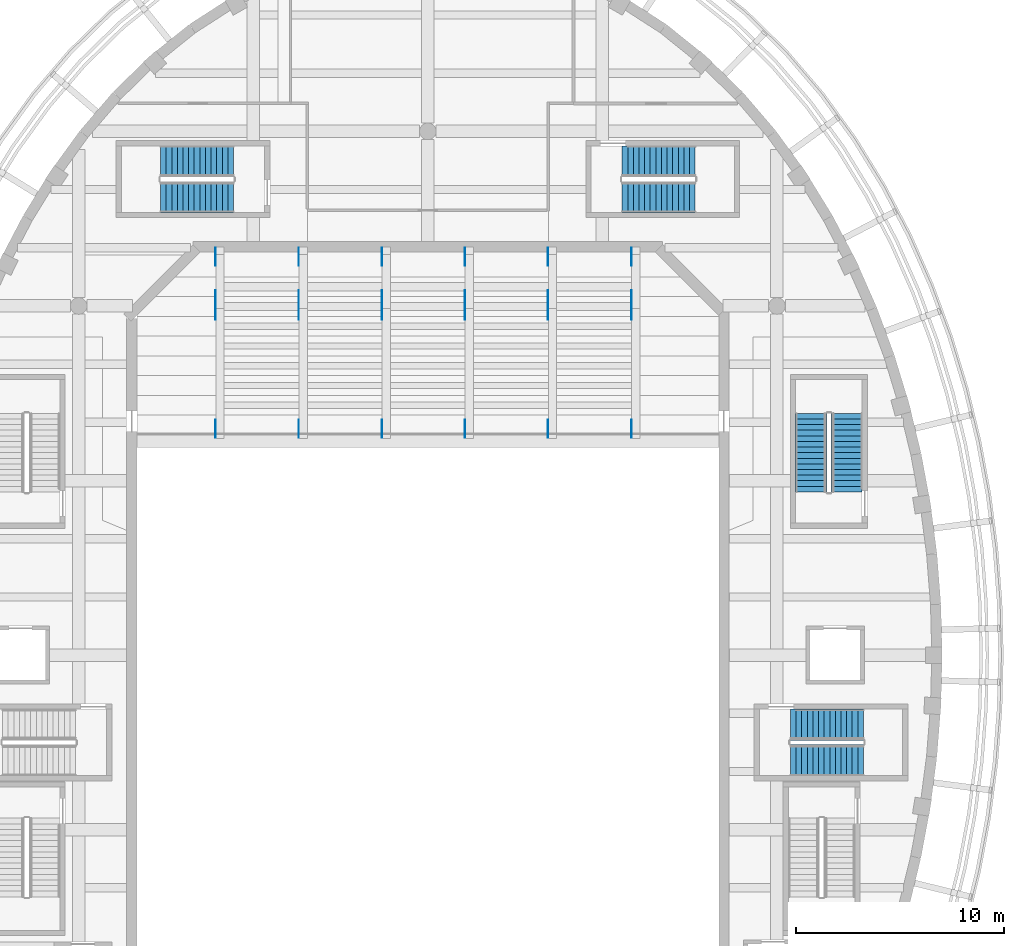
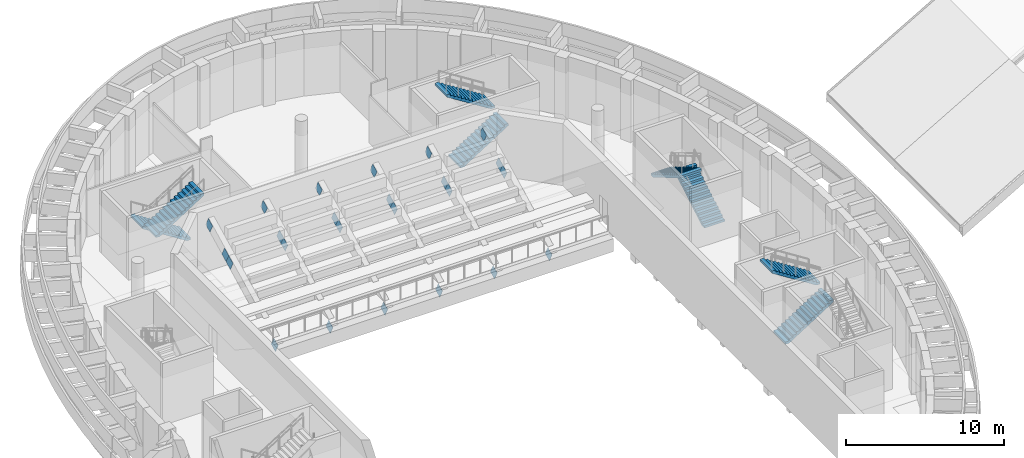
# One storey, part 16 of 37: 24 discrete accessories, 8 stair flights, 4 elements without a shape of their own.
"""IFC4 building model written with IfcOpenShell, lengths in metres."""

from ifc_helpers import new_model, si_unit, direction, frame, origin, origin_2d, place, context, subcontext, project, spatial, polyline, rectangle, outline, extrude, material, material_profile, profile_set, type_object, element, aggregate, save


model = new_model("IFC4")

# Units and contexts
model_context = context("Model", 3, precision=1e-05, world=origin(), true_north=direction((0.0, 1.0)))
body_context = subcontext(model_context, "Body", "Model", "MODEL_VIEW")
ifc_project = project(units=[si_unit("LENGTHUNIT", "METRE"), si_unit("AREAUNIT", "SQUARE_METRE"), si_unit("VOLUMEUNIT", "CUBIC_METRE"), si_unit("PLANEANGLEUNIT", "RADIAN"), si_unit("MASSUNIT", "GRAM", prefix="KILO")], contexts=[model_context])

# Site, building, storey
site_placement = place(None, origin())
site = spatial("IfcSite", under=ifc_project, at=site_placement, CompositionType="ELEMENT")
building_placement = place(site_placement, origin())
building = spatial("IfcBuilding", under=site, at=building_placement, Name="Larchfold Concert Hall", CompositionType="ELEMENT")
storey_placement = place(building_placement, frame((0.0, 0.0, 19.199951171875)))
storey = spatial("IfcBuildingStorey", under=building, at=storey_placement, Name="L04", CompositionType="ELEMENT", Elevation=19.199951171875)

# Stair, stair flights
ifc_material_1 = material(Name="Concrete C35/45", Category="concrete")
stair_type = type_object("IfcStairType", Name="Stair RC half-turn enclosed", PredefinedType="HALF_TURN_STAIR", material=ifc_material_1)
stair_1_placement = place(storey_placement, origin())
stair_1 = element("IfcStair", 1, at=stair_1_placement, inside=storey, type_object=stair_type, Name="Stair DS1", PredefinedType="HALF_TURN_STAIR")
ifc_material_2 = material(Name="Concrete C35/45", Category="concrete")
stair_flight_type_1 = type_object("IfcStairFlightType", Name="Stair flight RC 1500 x 160.0", PredefinedType="STRAIGHT", material=ifc_material_2)
stair_flight_1_placement = place(storey_placement, frame((62.75, 92.449951171875, 0.0), z_axis=(0.0, 0.0, 1.0), x_axis=(0.0, 1.0, 0.0)))
stair_flight_1 = element("IfcStairFlight", 2, at=stair_flight_1_placement, type_object=stair_flight_type_1, Name="ST01 flight 1", NumberOfRisers=15, NumberOfTreads=14, PredefinedType="STRAIGHT", RiserHeight=0.16, TreadLength=0.27, context=body_context, shape_type="SweptSolid", body=[
    extrude(outline(polyline([(0.0, 0.0), (0.0, 0.159912109375), (0.27001953125, 0.159912109375), (0.27001953125, 0.320068359375), (0.5400390625, 0.320068359375), (0.5400390625, 0.47998046875), (0.81005859375, 0.47998046875), (0.81005859375, 0.639892578125), (1.080078125, 0.639892578125), (1.080078125, 0.800048828125), (1.35009765625, 0.800048828125), (1.35009765625, 0.9599609375), (1.6201171875, 0.9599609375), (1.6201171875, 1.1201171875), (1.889892578125, 1.1201171875), (1.889892578125, 1.280029296875), (2.159912109375, 1.280029296875), (2.159912109375, 1.43994140625), (2.429931640625, 1.43994140625), (2.429931640625, 1.60009765625), (2.699951171875, 1.60009765625), (2.699951171875, 1.760009765625), (2.969970703125, 1.760009765625), (2.969970703125, 1.919921875), (3.239990234375, 1.919921875), (3.239990234375, 2.080078125), (3.510009765625, 2.080078125), (3.510009765625, 2.239990234375), (3.780029296875, 2.239990234375), (3.780029296875, 2.39990234375), (3.780029296875, 2.065673828125), (0.2939453125, 0.0), (0.0, 0.0)])), frame((0.0, 0.75, 0.0), z_axis=(0.0, -1.0, 0.0), x_axis=(1.0, 0.0, 0.0)), (0.0, 0.0, 1.0), 1.5),
])
stair_flight_2_placement = place(storey_placement, frame((61.050048828125, 96.22998046875, 2.400146484375), z_axis=(0.0, 0.0, 1.0), x_axis=(0.0, -1.0, 0.0)))
stair_flight_2 = element("IfcStairFlight", 3, at=stair_flight_2_placement, type_object=stair_flight_type_1, Name="ST01 flight 2", NumberOfRisers=15, NumberOfTreads=14, PredefinedType="STRAIGHT", RiserHeight=0.16, TreadLength=0.27, context=body_context, shape_type="SweptSolid", body=[
    extrude(outline(polyline([(0.0, 0.0), (0.0, 0.159912109375), (0.27001953125, 0.159912109375), (0.27001953125, 0.320068359375), (0.5400390625, 0.320068359375), (0.5400390625, 0.47998046875), (0.81005859375, 0.47998046875), (0.81005859375, 0.639892578125), (1.080078125, 0.639892578125), (1.080078125, 0.800048828125), (1.35009765625, 0.800048828125), (1.35009765625, 0.9599609375), (1.6201171875, 0.9599609375), (1.6201171875, 1.1201171875), (1.889892578125, 1.1201171875), (1.889892578125, 1.280029296875), (2.159912109375, 1.280029296875), (2.159912109375, 1.43994140625), (2.429931640625, 1.43994140625), (2.429931640625, 1.60009765625), (2.699951171875, 1.60009765625), (2.699951171875, 1.760009765625), (2.969970703125, 1.760009765625), (2.969970703125, 1.919921875), (3.239990234375, 1.919921875), (3.239990234375, 2.080078125), (3.510009765625, 2.080078125), (3.510009765625, 2.239990234375), (3.780029296875, 2.239990234375), (3.780029296875, 2.39990234375), (3.780029296875, 2.065673828125), (0.2939453125, 0.0), (0.0, 0.0)])), frame((0.0, 0.75, 0.0), z_axis=(0.0, -1.0, 0.0), x_axis=(1.0, 0.0, 0.0)), (0.0, 0.0, 1.0), 1.5),
])
aggregate(stair_1, [stair_flight_1, stair_flight_2])

stair_2_placement = place(storey_placement, origin())
stair_2 = element("IfcStair", 4, at=stair_2_placement, inside=storey, type_object=stair_type, Name="Stair DS2", PredefinedType="HALF_TURN_STAIR")
ifc_material_3 = material(Name="Concrete C35/45", Category="concrete")
stair_flight_type_2 = type_object("IfcStairFlightType", Name="Stair flight RC 1500 x 171.4", PredefinedType="STRAIGHT", material=ifc_material_3)
stair_flight_3_placement = place(storey_placement, frame((51.949951171875, 106.64990234375, 0.0), z_axis=(0.0, 0.0, 1.0), x_axis=(1.0, 0.0, 0.0)))
stair_flight_3 = element("IfcStairFlight", 5, at=stair_flight_3_placement, type_object=stair_flight_type_2, Name="ST02 flight 1", NumberOfRisers=14, NumberOfTreads=13, PredefinedType="STRAIGHT", RiserHeight=0.171428571, TreadLength=0.27, context=body_context, shape_type="SweptSolid", body=[
    extrude(outline(polyline([(0.0, 0.0), (0.0, 0.17138671875), (0.27001953125, 0.17138671875), (0.27001953125, 0.3427734375), (0.5400390625, 0.3427734375), (0.5400390625, 0.514404296875), (0.81005859375, 0.514404296875), (0.81005859375, 0.685791015625), (1.080078125, 0.685791015625), (1.080078125, 0.857177734375), (1.35009765625, 0.857177734375), (1.35009765625, 1.028564453125), (1.6201171875, 1.028564453125), (1.6201171875, 1.199951171875), (1.889892578125, 1.199951171875), (1.889892578125, 1.371337890625), (2.159912109375, 1.371337890625), (2.159912109375, 1.54296875), (2.429931640625, 1.54296875), (2.429931640625, 1.71435546875), (2.699951171875, 1.71435546875), (2.699951171875, 1.8857421875), (2.969970703125, 1.8857421875), (2.969970703125, 2.05712890625), (3.239990234375, 2.05712890625), (3.239990234375, 2.228515625), (3.510009765625, 2.228515625), (3.510009765625, 2.39990234375), (3.510009765625, 2.051025390625), (0.27978515625, 0.0), (0.0, 0.0)])), frame((0.0, 0.75, 0.0), z_axis=(0.0, -1.0, 0.0), x_axis=(1.0, 0.0, 0.0)), (0.0, 0.0, 1.0), 1.5),
])
stair_flight_4_placement = place(storey_placement, frame((55.4599609375, 108.349853515625, 2.400146484375), z_axis=(0.0, 0.0, 1.0), x_axis=(-1.0, 0.0, 0.0)))
stair_flight_4 = element("IfcStairFlight", 6, at=stair_flight_4_placement, type_object=stair_flight_type_2, Name="ST02 flight 2", NumberOfRisers=14, NumberOfTreads=13, PredefinedType="STRAIGHT", RiserHeight=0.171428571, TreadLength=0.27, context=body_context, shape_type="SweptSolid", body=[
    extrude(outline(polyline([(0.0, 0.0), (0.0, 0.17138671875), (0.27001953125, 0.17138671875), (0.27001953125, 0.3427734375), (0.5400390625, 0.3427734375), (0.5400390625, 0.514404296875), (0.81005859375, 0.514404296875), (0.81005859375, 0.685791015625), (1.080078125, 0.685791015625), (1.080078125, 0.857177734375), (1.35009765625, 0.857177734375), (1.35009765625, 1.028564453125), (1.6201171875, 1.028564453125), (1.6201171875, 1.199951171875), (1.889892578125, 1.199951171875), (1.889892578125, 1.371337890625), (2.159912109375, 1.371337890625), (2.159912109375, 1.54296875), (2.429931640625, 1.54296875), (2.429931640625, 1.71435546875), (2.699951171875, 1.71435546875), (2.699951171875, 1.8857421875), (2.969970703125, 1.8857421875), (2.969970703125, 2.05712890625), (3.239990234375, 2.05712890625), (3.239990234375, 2.228515625), (3.510009765625, 2.228515625), (3.510009765625, 2.39990234375), (3.510009765625, 2.051025390625), (0.27978515625, 0.0), (0.0, 0.0)])), frame((0.0, 0.75, 0.0), z_axis=(0.0, -1.0, 0.0), x_axis=(1.0, 0.0, 0.0)), (0.0, 0.0, 1.0), 1.5),
])
aggregate(stair_2, [stair_flight_3, stair_flight_4])

stair_3_placement = place(storey_placement, origin())
stair_3 = element("IfcStair", 7, at=stair_3_placement, inside=storey, type_object=stair_type, Name="Stair DS3", PredefinedType="HALF_TURN_STAIR")
stair_flight_5_placement = place(storey_placement, frame((33.25, 108.35009765625, 0.0), z_axis=(0.0, 0.0, 1.0), x_axis=(-1.0, 0.0, 0.0)))
stair_flight_5 = element("IfcStairFlight", 8, at=stair_flight_5_placement, type_object=stair_flight_type_2, Name="ST03 flight 1", NumberOfRisers=14, NumberOfTreads=13, PredefinedType="STRAIGHT", RiserHeight=0.171428571, TreadLength=0.27, context=body_context, shape_type="SweptSolid", body=[
    extrude(outline(polyline([(0.0, 0.0), (0.0, 0.17138671875), (0.27001953125, 0.17138671875), (0.27001953125, 0.3427734375), (0.5400390625, 0.3427734375), (0.5400390625, 0.514404296875), (0.81005859375, 0.514404296875), (0.81005859375, 0.685791015625), (1.080078125, 0.685791015625), (1.080078125, 0.857177734375), (1.35009765625, 0.857177734375), (1.35009765625, 1.028564453125), (1.6201171875, 1.028564453125), (1.6201171875, 1.199951171875), (1.889892578125, 1.199951171875), (1.889892578125, 1.371337890625), (2.159912109375, 1.371337890625), (2.159912109375, 1.54296875), (2.429931640625, 1.54296875), (2.429931640625, 1.71435546875), (2.699951171875, 1.71435546875), (2.699951171875, 1.8857421875), (2.969970703125, 1.8857421875), (2.969970703125, 2.05712890625), (3.239990234375, 2.05712890625), (3.239990234375, 2.228515625), (3.510009765625, 2.228515625), (3.510009765625, 2.39990234375), (3.510009765625, 2.051025390625), (0.27978515625, 0.0), (0.0, 0.0)])), frame((0.0, 0.75, 0.0), z_axis=(0.0, -1.0, 0.0), x_axis=(1.0, 0.0, 0.0)), (0.0, 0.0, 1.0), 1.5),
])
stair_flight_6_placement = place(storey_placement, frame((29.739990234375, 106.650146484375, 2.400146484375), z_axis=(0.0, 0.0, 1.0), x_axis=(1.0, 0.0, 0.0)))
stair_flight_6 = element("IfcStairFlight", 9, at=stair_flight_6_placement, type_object=stair_flight_type_2, Name="ST03 flight 2", NumberOfRisers=14, NumberOfTreads=13, PredefinedType="STRAIGHT", RiserHeight=0.171428571, TreadLength=0.27, context=body_context, shape_type="SweptSolid", body=[
    extrude(outline(polyline([(0.0, 0.0), (0.0, 0.17138671875), (0.27001953125, 0.17138671875), (0.27001953125, 0.3427734375), (0.5400390625, 0.3427734375), (0.5400390625, 0.514404296875), (0.81005859375, 0.514404296875), (0.81005859375, 0.685791015625), (1.080078125, 0.685791015625), (1.080078125, 0.857177734375), (1.35009765625, 0.857177734375), (1.35009765625, 1.028564453125), (1.6201171875, 1.028564453125), (1.6201171875, 1.199951171875), (1.889892578125, 1.199951171875), (1.889892578125, 1.371337890625), (2.159912109375, 1.371337890625), (2.159912109375, 1.54296875), (2.429931640625, 1.54296875), (2.429931640625, 1.71435546875), (2.699951171875, 1.71435546875), (2.699951171875, 1.8857421875), (2.969970703125, 1.8857421875), (2.969970703125, 2.05712890625), (3.239990234375, 2.05712890625), (3.239990234375, 2.228515625), (3.510009765625, 2.228515625), (3.510009765625, 2.39990234375), (3.510009765625, 2.051025390625), (0.27978515625, 0.0), (0.0, 0.0)])), frame((0.0, 0.75, 0.0), z_axis=(0.0, -1.0, 0.0), x_axis=(1.0, 0.0, 0.0)), (0.0, 0.0, 1.0), 1.5),
])
aggregate(stair_3, [stair_flight_5, stair_flight_6])

stair_4_placement = place(storey_placement, origin())
stair_4 = element("IfcStair", 10, at=stair_4_placement, inside=storey, type_object=stair_type, Name="Stair DS8", PredefinedType="HALF_TURN_STAIR")
stair_flight_7_placement = place(storey_placement, frame((60.050048828125, 79.550048828125, 0.0), z_axis=(0.0, 0.0, 1.0), x_axis=(1.0, 0.0, 0.0)))
stair_flight_7 = element("IfcStairFlight", 11, at=stair_flight_7_placement, type_object=stair_flight_type_2, Name="ST08 flight 1", NumberOfRisers=14, NumberOfTreads=13, PredefinedType="STRAIGHT", RiserHeight=0.171428571, TreadLength=0.27, context=body_context, shape_type="SweptSolid", body=[
    extrude(outline(polyline([(0.0, 0.0), (0.0, 0.17138671875), (0.27001953125, 0.17138671875), (0.27001953125, 0.3427734375), (0.5400390625, 0.3427734375), (0.5400390625, 0.514404296875), (0.81005859375, 0.514404296875), (0.81005859375, 0.685791015625), (1.080078125, 0.685791015625), (1.080078125, 0.857177734375), (1.35009765625, 0.857177734375), (1.35009765625, 1.028564453125), (1.6201171875, 1.028564453125), (1.6201171875, 1.199951171875), (1.889892578125, 1.199951171875), (1.889892578125, 1.371337890625), (2.159912109375, 1.371337890625), (2.159912109375, 1.54296875), (2.429931640625, 1.54296875), (2.429931640625, 1.71435546875), (2.699951171875, 1.71435546875), (2.699951171875, 1.8857421875), (2.969970703125, 1.8857421875), (2.969970703125, 2.05712890625), (3.239990234375, 2.05712890625), (3.239990234375, 2.228515625), (3.510009765625, 2.228515625), (3.510009765625, 2.39990234375), (3.510009765625, 2.051025390625), (0.27978515625, 0.0), (0.0, 0.0)])), frame((0.0, 0.75, 0.0), z_axis=(0.0, -1.0, 0.0), x_axis=(1.0, 0.0, 0.0)), (0.0, 0.0, 1.0), 1.5),
])
stair_flight_8_placement = place(storey_placement, frame((63.56005859375, 81.25, 2.400146484375), z_axis=(0.0, 0.0, 1.0), x_axis=(-1.0, 0.0, 0.0)))
stair_flight_8 = element("IfcStairFlight", 12, at=stair_flight_8_placement, type_object=stair_flight_type_2, Name="ST08 flight 2", NumberOfRisers=14, NumberOfTreads=13, PredefinedType="STRAIGHT", RiserHeight=0.171428571, TreadLength=0.27, context=body_context, shape_type="SweptSolid", body=[
    extrude(outline(polyline([(0.0, 0.0), (0.0, 0.17138671875), (0.27001953125, 0.17138671875), (0.27001953125, 0.3427734375), (0.5400390625, 0.3427734375), (0.5400390625, 0.514404296875), (0.81005859375, 0.514404296875), (0.81005859375, 0.685791015625), (1.080078125, 0.685791015625), (1.080078125, 0.857177734375), (1.35009765625, 0.857177734375), (1.35009765625, 1.028564453125), (1.6201171875, 1.028564453125), (1.6201171875, 1.199951171875), (1.889892578125, 1.199951171875), (1.889892578125, 1.371337890625), (2.159912109375, 1.371337890625), (2.159912109375, 1.54296875), (2.429931640625, 1.54296875), (2.429931640625, 1.71435546875), (2.699951171875, 1.71435546875), (2.699951171875, 1.8857421875), (2.969970703125, 1.8857421875), (2.969970703125, 2.05712890625), (3.239990234375, 2.05712890625), (3.239990234375, 2.228515625), (3.510009765625, 2.228515625), (3.510009765625, 2.39990234375), (3.510009765625, 2.051025390625), (0.27978515625, 0.0), (0.0, 0.0)])), frame((0.0, 0.75, 0.0), z_axis=(0.0, -1.0, 0.0), x_axis=(1.0, 0.0, 0.0)), (0.0, 0.0, 1.0), 1.5),
])
aggregate(stair_4, [stair_flight_7, stair_flight_8])

# Discrete accessories
ifc_material_4 = material(Name="Steel S355 galvanised bracket", Category="steel")
ifc_material_profile = material_profile(ifc_material_4, rectangle(XDim=0.02001953125, YDim=0.75, at=origin_2d()))
ifc_profile_set = profile_set([ifc_material_profile], Name="Steel S355 galvanised bracket")
discrete_accessory_type = type_object("IfcDiscreteAccessoryType", Name="Gusset plate 20x750", PredefinedType="BRACKET", material=ifc_profile_set)
for number, where, z_axis, x_axis, name in (
    (13, (32.39013671875, 95.2177734375, -0.61083984375), (0.0, 0.891396273817, 0.453224759942), (-1.0, 0.0, 0.0), "Gusset plate GP0049"),
    (14, (32.39013671875, 100.9150390625, 2.285400390625), (0.0, 0.891396273817, 0.453224759942), (-1.0, 0.0, 0.0), "Gusset plate GP0050"),
    (15, (32.39013671875, 101.449951171875, 2.557373046875), (0.0, 0.891396273817, 0.453224759942), (-1.0, 0.0, 0.0), "Gusset plate GP0051"),
    (16, (32.39013671875, 103.497314453125, 3.59814453125), (0.0, 0.891396273817, 0.453224759942), (-1.0, 0.0, 0.0), "Gusset plate GP0052"),
    (17, (36.39013671875, 95.2177734375, -0.61083984375), (0.0, 0.891396273817, 0.453224759942), (-1.0, 0.0, 0.0), "Gusset plate GP0053"),
    (18, (36.39013671875, 100.9150390625, 2.285400390625), (0.0, 0.891396273817, 0.453224759942), (-1.0, 0.0, 0.0), "Gusset plate GP0054"),
    (19, (36.39013671875, 101.449951171875, 2.557373046875), (0.0, 0.891396273817, 0.453224759942), (-1.0, 0.0, 0.0), "Gusset plate GP0055"),
    (20, (36.39013671875, 103.497314453125, 3.59814453125), (0.0, 0.891396273817, 0.453224759942), (-1.0, 0.0, 0.0), "Gusset plate GP0056"),
    (21, (40.39013671875, 95.2177734375, -0.61083984375), (0.0, 0.891396273817, 0.453224759942), (-1.0, 0.0, 0.0), "Gusset plate GP0057"),
    (22, (40.39013671875, 100.9150390625, 2.285400390625), (0.0, 0.891396273817, 0.453224759942), (-1.0, 0.0, 0.0), "Gusset plate GP0058"),
    (23, (40.39013671875, 101.449951171875, 2.557373046875), (0.0, 0.891396273817, 0.453224759942), (-1.0, 0.0, 0.0), "Gusset plate GP0059"),
    (24, (40.39013671875, 103.497314453125, 3.59814453125), (0.0, 0.891396273817, 0.453224759942), (-1.0, 0.0, 0.0), "Gusset plate GP0060"),
    (25, (44.39013671875, 95.2177734375, -0.61083984375), (0.0, 0.891396273817, 0.453224759942), (-1.0, 0.0, 0.0), "Gusset plate GP0061"),
    (26, (44.39013671875, 100.9150390625, 2.285400390625), (0.0, 0.891396273817, 0.453224759942), (-1.0, 0.0, 0.0), "Gusset plate GP0062"),
    (27, (44.39013671875, 101.449951171875, 2.557373046875), (0.0, 0.891396273817, 0.453224759942), (-1.0, 0.0, 0.0), "Gusset plate GP0063"),
    (28, (44.39013671875, 103.497314453125, 3.59814453125), (0.0, 0.891396273817, 0.453224759942), (-1.0, 0.0, 0.0), "Gusset plate GP0064"),
    (29, (48.39013671875, 95.2177734375, -0.61083984375), (0.0, 0.891396273817, 0.453224759942), (-1.0, 0.0, 0.0), "Gusset plate GP0065"),
    (30, (48.39013671875, 100.9150390625, 2.285400390625), (0.0, 0.891396273817, 0.453224759942), (-1.0, 0.0, 0.0), "Gusset plate GP0066"),
    (31, (48.39013671875, 101.449951171875, 2.557373046875), (0.0, 0.891396273817, 0.453224759942), (-1.0, 0.0, 0.0), "Gusset plate GP0067"),
    (32, (48.39013671875, 103.497314453125, 3.59814453125), (0.0, 0.891396273817, 0.453224759942), (-1.0, 0.0, 0.0), "Gusset plate GP0068"),
    (33, (52.39013671875, 95.2177734375, -0.61083984375), (0.0, 0.891396273817, 0.453224759942), (-1.0, 0.0, 0.0), "Gusset plate GP0069"),
    (34, (52.39013671875, 100.9150390625, 2.285400390625), (0.0, 0.891396273817, 0.453224759942), (-1.0, 0.0, 0.0), "Gusset plate GP0070"),
    (35, (52.39013671875, 101.449951171875, 2.557373046875), (0.0, 0.891396273817, 0.453224759942), (-1.0, 0.0, 0.0), "Gusset plate GP0071"),
    (36, (52.39013671875, 103.497314453125, 3.59814453125), (0.0, 0.891396273817, 0.453224759942), (-1.0, 0.0, 0.0), "Gusset plate GP0072"),
):
    element("IfcDiscreteAccessory", number, at=place(storey_placement, frame(where, z_axis=z_axis, x_axis=x_axis)), inside=storey, type_object=discrete_accessory_type, Name=name, PredefinedType="BRACKET", context=body_context, shape_type="SweptSolid", body=[
        extrude(rectangle(XDim=0.02001953125, YDim=0.75, at=origin_2d()), origin(), (0.0, 0.0, 1.0), 0.60009765625),
    ])

save(model, "model.ifc")
